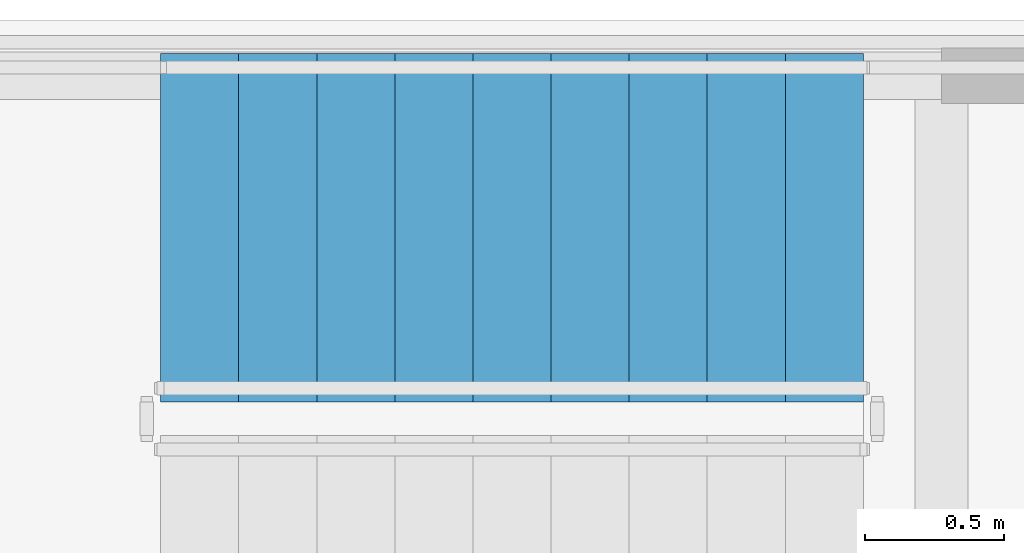
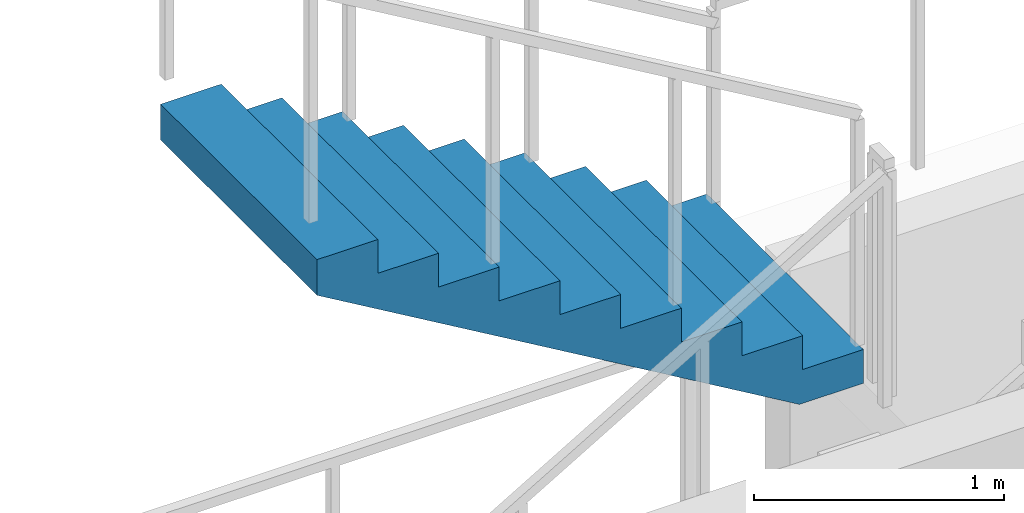
# One storey, part 22 of 27: 1 stair flight, 1 element without a shape of its own.
"""IFC4 building model written with IfcOpenShell, lengths in metres."""

from ifc_helpers import new_model, si_unit, direction, frame, origin, place, context, subcontext, project, spatial, polyline, outline, extrude, material, type_object, element, aggregate, save


model = new_model("IFC4")

# Units and contexts
model_context = context("Model", 3, precision=1e-05, world=origin(), true_north=direction((0.0, 1.0)))
body_context = subcontext(model_context, "Body", "Model", "MODEL_VIEW")
ifc_project = project(units=[si_unit("LENGTHUNIT", "METRE"), si_unit("AREAUNIT", "SQUARE_METRE"), si_unit("VOLUMEUNIT", "CUBIC_METRE"), si_unit("PLANEANGLEUNIT", "RADIAN"), si_unit("MASSUNIT", "GRAM", prefix="KILO")], contexts=[model_context])

# Site, building, storey
site_placement = place(None, origin())
site = spatial("IfcSite", under=ifc_project, at=site_placement, CompositionType="ELEMENT")
building_placement = place(site_placement, origin())
building = spatial("IfcBuilding", under=site, at=building_placement, Name="Zarnakvel Exchange Tower", CompositionType="ELEMENT")
storey_placement = place(building_placement, frame((0.0, 0.0, 113.199951171875)))
storey = spatial("IfcBuildingStorey", under=building, at=storey_placement, Name="L31", CompositionType="ELEMENT", Elevation=113.199951171875)

# Stair, stair flight
ifc_material = material(Name="Concrete C40/50", Category="concrete")
stair_type = type_object("IfcStairType", Name="STR-05", PredefinedType="HALF_TURN_STAIR", material=ifc_material)
stair_placement = place(storey_placement, origin())
stair = element("IfcStair", 1, at=stair_placement, inside=storey, type_object=stair_type, Name="L31 Spiral Sky-Terrace Connecting Stair ST-10", PredefinedType="HALF_TURN_STAIR")
stair_flight_type = type_object("IfcStairFlightType", Name="FLT-05", PredefinedType="STRAIGHT", material=ifc_material)
stair_flight_placement = place(storey_placement, frame((1.169921875, 19.81494140625, 1.650146484375), z_axis=(0.0, 0.0, 1.0), x_axis=(-1.0, 0.0, 0.0)))
stair_flight = element("IfcStairFlight", 2, at=stair_flight_placement, type_object=stair_flight_type, Name="ST-10 flight 2", NumberOfRisers=10, NumberOfTreads=9, PredefinedType="STRAIGHT", RiserHeight=0.165, TreadLength=0.28, context=body_context, shape_type="SweptSolid", body=[
    extrude(outline(polyline([(0.0, 0.0), (0.0, 0.1650390625), (0.280029296875, 0.1650390625), (0.280029296875, 0.330078125), (0.56005859375, 0.330078125), (0.56005859375, 0.4951171875), (0.840087890625, 0.4951171875), (0.840087890625, 0.659912109375), (1.1201171875, 0.659912109375), (1.1201171875, 0.824951171875), (1.39990234375, 0.824951171875), (1.39990234375, 0.989990234375), (1.679931640625, 0.989990234375), (1.679931640625, 1.155029296875), (1.9599609375, 1.155029296875), (1.9599609375, 1.320068359375), (2.239990234375, 1.320068359375), (2.239990234375, 1.485107421875), (2.52001953125, 1.485107421875), (2.52001953125, 1.64990234375), (2.52001953125, 1.31103515625), (0.295166015625, 0.0), (0.0, 0.0)])), frame((0.0, 0.625, 0.0), z_axis=(0.0, -1.0, 0.0), x_axis=(1.0, 0.0, 0.0)), (0.0, 0.0, 1.0), 1.25),
])
aggregate(stair, [stair_flight])

save(model, "model.ifc")
